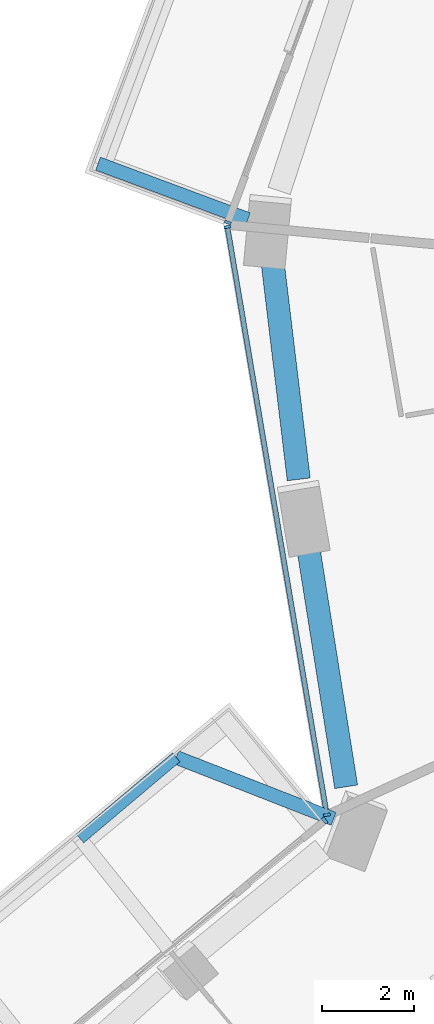
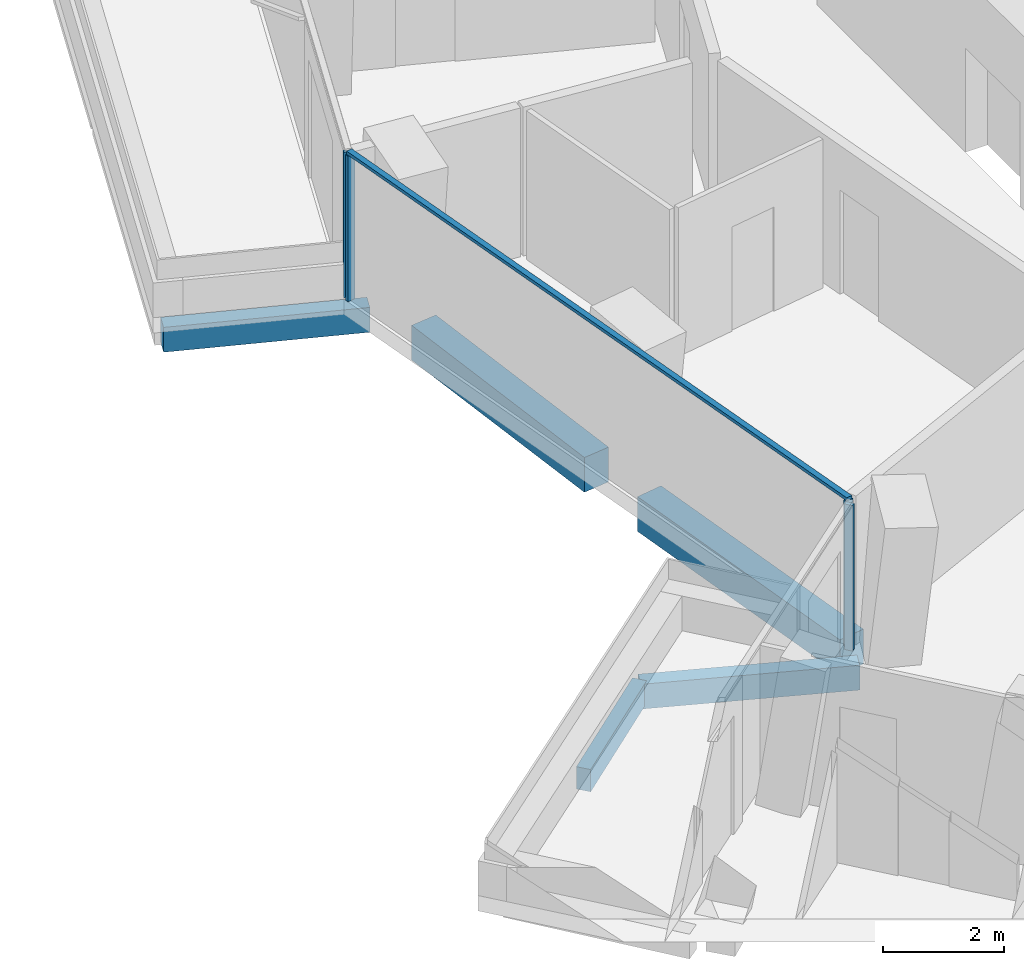
# One storey, part 4 of 27: 5 beams, 5 members, 3 elements without a shape of their own.
"""IFC4 building model written with IfcOpenShell, lengths in metres."""

from ifc_helpers import new_model, si_unit, direction, frame, origin, origin_2d, place, context, subcontext, project, spatial, rectangle, extrude, material, layer, layer_set, material_profile, profile_set, type_object, element, aggregate, save


model = new_model("IFC4")

# Units and contexts
model_context = context("Model", 3, precision=1e-05, world=origin(), true_north=direction((0.0, 1.0)))
body_context = subcontext(model_context, "Body", "Model", "MODEL_VIEW")
ifc_project = project(units=[si_unit("LENGTHUNIT", "METRE"), si_unit("AREAUNIT", "SQUARE_METRE"), si_unit("VOLUMEUNIT", "CUBIC_METRE"), si_unit("PLANEANGLEUNIT", "RADIAN"), si_unit("MASSUNIT", "GRAM", prefix="KILO")], contexts=[model_context])

# Site, building, storey
site_placement = place(None, origin())
site = spatial("IfcSite", under=ifc_project, at=site_placement, CompositionType="ELEMENT")
building_placement = place(site_placement, origin())
building = spatial("IfcBuilding", under=site, at=building_placement, Name="Verdalira Terraces Hotel", CompositionType="ELEMENT")
storey_placement = place(building_placement, frame((0.0, 0.0, 71.5)))
storey = spatial("IfcBuildingStorey", under=building, at=storey_placement, Name="L16", CompositionType="ELEMENT", Elevation=71.5)

# Beams
ifc_material_1 = material(Name="Concrete C40", Category="concrete")
ifc_material_profile_1 = material_profile(ifc_material_1, rectangle(XDim=0.300049, YDim=0.5, at=origin_2d()), Name="RC 300X500")
ifc_profile_set_1 = profile_set([ifc_material_profile_1], Name="Concrete C40")
beam_type_1 = type_object("IfcBeamType", Name="Balcony cantilever beam RC 300X500 C40", PredefinedType="BEAM", material=ifc_profile_set_1)
beam_1_placement = place(storey_placement, frame((-24.475098, 2.470215, -0.560059), z_axis=(-0.937286245, 0.348560605, 0.0), x_axis=(-0.348560605, -0.937286245, 0.0)))
element("IfcBeam", 1, at=beam_1_placement, inside=storey, type_object=beam_type_1, Name="Balcony cantilever beam R12-3", PredefinedType="BEAM", context=body_context, shape_type="SweptSolid", body=[
    extrude(rectangle(XDim=0.300049, YDim=0.5, at=origin_2d()), origin(), (0.0, 0.0, 1.0), 3.457275),
])
beam_2_placement = place(storey_placement, frame((-22.619873, -10.499023, -0.560059), z_axis=(-0.931313702, 0.36421805, 0.0), x_axis=(-0.36421805, -0.931313702, 0.0)))
element("IfcBeam", 2, at=beam_2_placement, inside=storey, type_object=beam_type_1, Name="Balcony cantilever beam R14-1", PredefinedType="BEAM", context=body_context, shape_type="SweptSolid", body=[
    extrude(rectangle(XDim=0.300049, YDim=0.5, at=origin_2d()), origin(), (0.0, 0.0, 1.0), 3.656006),
])
ifc_material_2 = material(Name="Concrete C40", Category="concrete")
ifc_material_profile_2 = material_profile(ifc_material_2, rectangle(XDim=0.25, YDim=0.449951, at=origin_2d()), Name="RC 250X450")
ifc_profile_set_2 = profile_set([ifc_material_profile_2], Name="Concrete C40")
beam_type_2 = type_object("IfcBeamType", Name="Balcony edge beam RC 250X450 C40", PredefinedType="BEAM", material=ifc_profile_set_2)
beam_3_placement = place(storey_placement, frame((-26.024658, -9.16748, -0.534912), z_axis=(-0.764636702, -0.644461569, 0.0), x_axis=(0.644461569, -0.764636702, 0.0)))
element("IfcBeam", 3, at=beam_3_placement, inside=storey, type_object=beam_type_2, Name="Balcony edge beam R14-1", PredefinedType="BEAM", context=body_context, shape_type="SweptSolid", body=[
    extrude(rectangle(XDim=0.25, YDim=0.449951, at=origin_2d()), origin(), (0.0, 0.0, 1.0), 2.722168),
])

# Curtain wall, member
ifc_material_3 = material(Name="Clear glass", Category="glass")
ifc_layer_1 = layer(ifc_material_3, 0.14990234375)
ifc_layer_set_1 = layer_set([ifc_layer_1], Name="CW1 curtain wall")
curtain_wall_type_1 = type_object("IfcCurtainWallType", Name="CW1 curtain wall", PredefinedType="NOTDEFINED", material=ifc_layer_set_1)
curtain_wall_1_placement = place(storey_placement, origin())
curtain_wall_1 = element("IfcCurtainWall", 4, at=curtain_wall_1_placement, inside=storey, type_object=curtain_wall_type_1, Name="CW1 curtain wall L16 edge 12", PredefinedType="NOTDEFINED")
ifc_material_4 = material(Name="Terracotta frame", Category="masonry")
ifc_material_profile_3 = material_profile(ifc_material_4, rectangle(XDim=0.060059, YDim=0.149902, at=origin_2d()), Name="MU 60x150")
ifc_profile_set_3 = profile_set([ifc_material_profile_3], Name="Terracotta frame")
member_type_1 = type_object("IfcMemberType", Name="CW1 mullion 60x150", PredefinedType="MULLION", material=ifc_profile_set_3)
member_1_placement = place(storey_placement, frame((-24.907959, 2.403076, 0.0), z_axis=(0.0, 0.0, 1.0), x_axis=(-0.348572047, -0.937281989, 0.0)))
member_1 = element("IfcMember", 5, at=member_1_placement, type_object=member_type_1, Name="CW1 mullion", PredefinedType="MULLION", context=body_context, shape_type="SweptSolid", body=[
    extrude(rectangle(XDim=0.060059, YDim=0.149902, at=origin_2d()), origin(), (0.0, 0.0, 1.0), 2.935059),
])
aggregate(curtain_wall_1, [member_1])

# Curtain wall, members
curtain_wall_2_placement = place(storey_placement, origin())
curtain_wall_2 = element("IfcCurtainWall", 6, at=curtain_wall_2_placement, inside=storey, type_object=curtain_wall_type_1, Name="CW1 curtain wall L16 edge 13", PredefinedType="NOTDEFINED")
member_2_placement = place(storey_placement, frame((-24.916992, 2.306641, 0.0), z_axis=(0.0, 0.0, 1.0), x_axis=(0.166768747, -0.985996037, 0.0)))
member_2 = element("IfcMember", 7, at=member_2_placement, type_object=member_type_1, Name="CW1 mullion", PredefinedType="MULLION", context=body_context, shape_type="SweptSolid", body=[
    extrude(rectangle(XDim=0.060059, YDim=0.149902, at=origin_2d()), origin(), (0.0, 0.0, 1.0), 2.935059),
])
member_3_placement = place(storey_placement, frame((-22.765625, -10.412354, 0.0), z_axis=(0.0, 0.0, 1.0), x_axis=(0.166768747, -0.985996037, 0.0)))
member_3 = element("IfcMember", 8, at=member_3_placement, type_object=member_type_1, Name="CW1 mullion", PredefinedType="MULLION", context=body_context, shape_type="SweptSolid", body=[
    extrude(rectangle(XDim=0.060059, YDim=0.149902, at=origin_2d()), origin(), (0.0, 0.0, 1.0), 2.935059),
])
ifc_material_5 = material(Name="Terracotta frame", Category="masonry")
ifc_material_profile_4 = material_profile(ifc_material_5, rectangle(XDim=0.110107, YDim=0.064941, at=origin_2d()), Name="TR 65x110")
ifc_profile_set_4 = profile_set([ifc_material_profile_4], Name="Terracotta frame")
member_type_2 = type_object("IfcMemberType", Name="CW1 transom 65x110", PredefinedType="USERDEFINED", material=ifc_profile_set_4)
member_4_placement = place(storey_placement, frame((-24.921875, 2.336426, 2.967529), z_axis=(0.166756872, -0.985998045, 0.0), x_axis=(0.985998045, 0.166756872, 0.0)))
member_4 = element("IfcMember", 9, at=member_4_placement, type_object=member_type_2, Name="CW1 transom", ObjectType="TRANSOM", PredefinedType="USERDEFINED", context=body_context, shape_type="SweptSolid", body=[
    extrude(rectangle(XDim=0.110107, YDim=0.064941, at=origin_2d()), origin(), (0.0, 0.0, 1.0), 12.959717),
])
aggregate(curtain_wall_2, [member_2, member_3, member_4])

# Curtain wall, member
ifc_material_6 = material(Name="Clear glass", Category="glass")
ifc_layer_2 = layer(ifc_material_6, 0.14990234375)
ifc_layer_set_2 = layer_set([ifc_layer_2], Name="CW2 curtain wall")
curtain_wall_type_2 = type_object("IfcCurtainWallType", Name="CW2 curtain wall", PredefinedType="NOTDEFINED", material=ifc_layer_set_2)
curtain_wall_3_placement = place(storey_placement, origin())
curtain_wall_3 = element("IfcCurtainWall", 10, at=curtain_wall_3_placement, inside=storey, type_object=curtain_wall_type_2, Name="CW2 curtain wall L16 edge 14", PredefinedType="NOTDEFINED")
ifc_material_7 = material(Name="Terracotta frame", Category="masonry")
ifc_material_profile_5 = material_profile(ifc_material_7, rectangle(XDim=0.070068, YDim=0.149902, at=origin_2d()), Name="MU 70x150")
ifc_profile_set_5 = profile_set([ifc_material_profile_5], Name="Terracotta frame")
member_type_3 = type_object("IfcMemberType", Name="CW2 mullion 70x150", PredefinedType="MULLION", material=ifc_profile_set_5)
member_5_placement = place(storey_placement, frame((-22.813721, -10.534668, 0.0), z_axis=(0.0, 0.0, 1.0), x_axis=(-0.770513243, -0.63742399, 0.0)))
member_5 = element("IfcMember", 11, at=member_5_placement, type_object=member_type_3, Name="CW2 mullion", PredefinedType="MULLION", context=body_context, shape_type="SweptSolid", body=[
    extrude(rectangle(XDim=0.070068, YDim=0.149902, at=origin_2d()), origin(), (0.0, 0.0, 1.0), 2.935059),
])
aggregate(curtain_wall_3, [member_5])

# Beams
ifc_material_8 = material(Name="Concrete C70", Category="concrete")
ifc_material_profile_6 = material_profile(ifc_material_8, rectangle(XDim=0.5, YDim=0.699951, at=origin_2d()), Name="RC 500X700")
ifc_profile_set_6 = profile_set([ifc_material_profile_6], Name="Concrete C70")
beam_type_3 = type_object("IfcBeamType", Name="Spandrel beam RC 500X700 C70", PredefinedType="SPANDREL", material=ifc_profile_set_6)
beam_4_placement = place(storey_placement, frame((-23.942627, 1.570068, -0.659912), z_axis=(0.119329308, -0.992854731, 0.0), x_axis=(0.992854731, 0.119329308, 0.0)))
element("IfcBeam", 12, at=beam_4_placement, inside=storey, type_object=beam_type_3, Name="Spandrel beam B12", PredefinedType="SPANDREL", context=body_context, shape_type="SweptSolid", body=[
    extrude(rectangle(XDim=0.5, YDim=0.699951, at=origin_2d()), origin(), (0.0, 0.0, 1.0), 4.758789),
])
beam_5_placement = place(storey_placement, frame((-23.179688, -4.557617, -0.659912), z_axis=(0.156486471, -0.987680102, 0.0), x_axis=(0.987680102, 0.156486471, 0.0)))
element("IfcBeam", 13, at=beam_5_placement, inside=storey, type_object=beam_type_3, Name="Spandrel beam B13", PredefinedType="SPANDREL", context=body_context, shape_type="SweptSolid", body=[
    extrude(rectangle(XDim=0.5, YDim=0.699951, at=origin_2d()), origin(), (0.0, 0.0, 1.0), 5.312256),
])

save(model, "model.ifc")
